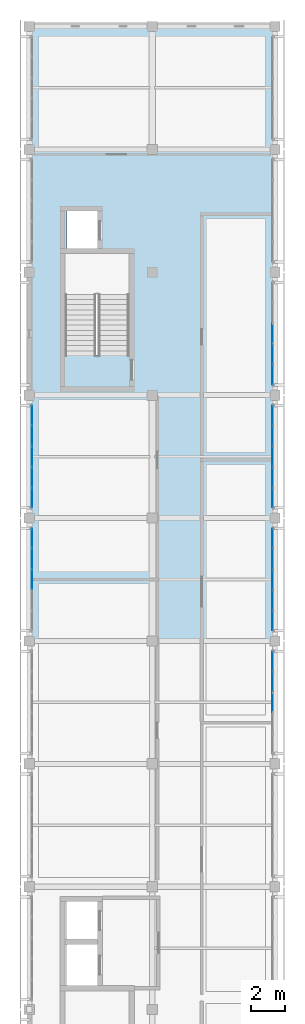
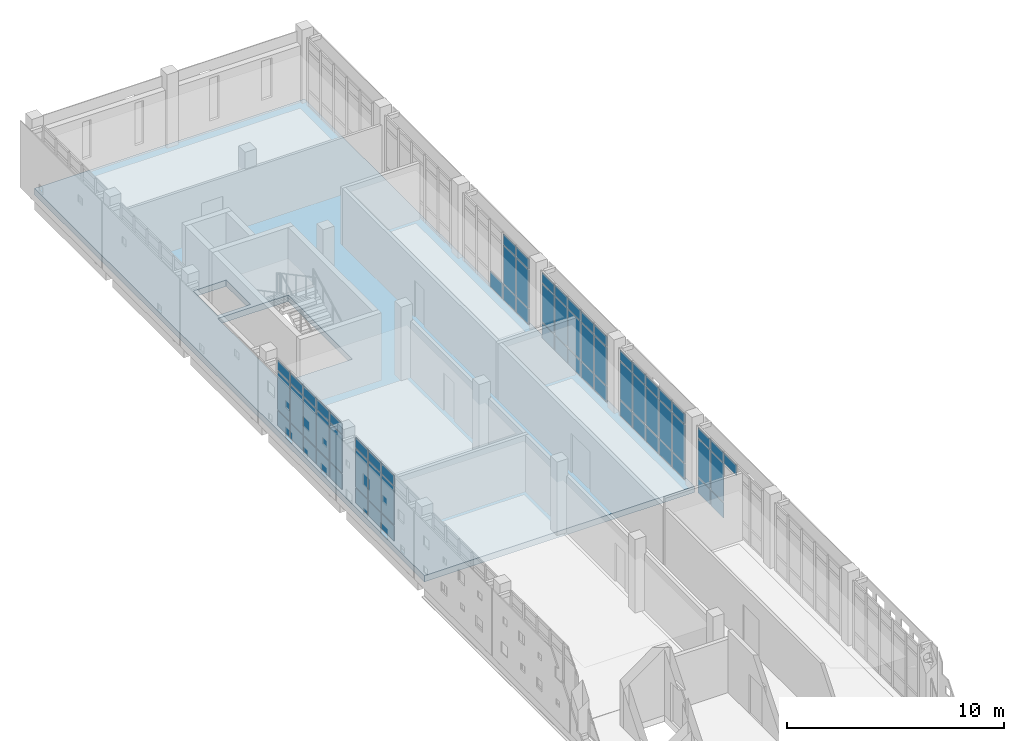
# One storey, part 13 of 21: 68 plates, 1 slab, 6 elements without a shape of their own.
"""IFC4 building model written with IfcOpenShell, lengths in metres."""

from ifc_helpers import new_model, si_unit, direction, frame, origin, origin_2d, place, context, subcontext, project, spatial, polyline, rectangle, outline, extrude, material, layer, layer_set, type_object, element, aggregate, save


model = new_model("IFC4")

# Units and contexts
model_context = context("Model", 3, precision=1e-05, world=origin(), true_north=direction((0.0, 1.0)))
body_context = subcontext(model_context, "Body", "Model", "MODEL_VIEW")
ifc_project = project(units=[si_unit("LENGTHUNIT", "METRE"), si_unit("AREAUNIT", "SQUARE_METRE"), si_unit("VOLUMEUNIT", "CUBIC_METRE"), si_unit("PLANEANGLEUNIT", "RADIAN"), si_unit("MASSUNIT", "GRAM", prefix="KILO")], contexts=[model_context])

# Site, building, storey
site_placement = place(None, origin())
site = spatial("IfcSite", under=ifc_project, at=site_placement, CompositionType="ELEMENT")
building_placement = place(site_placement, origin())
building = spatial("IfcBuilding", under=site, at=building_placement, Name="Valkovuoma Quantum and Materials Research Institute", CompositionType="ELEMENT")
storey_placement = place(building_placement, frame((0.0, 0.0, 33.919921875)))
storey = spatial("IfcBuildingStorey", under=building, at=storey_placement, Name="L08", CompositionType="ELEMENT", Elevation=33.919921875)

# Curtain wall, plates
ifc_material_1 = material(Name="Thermally broken aluminium and triple low-E glazing", Category="aluminium")
ifc_layer_1 = layer(ifc_material_1, 0.219970703125)
ifc_layer_set_1 = layer_set([ifc_layer_1], Name="Thermally broken aluminium and triple low-E glazing")
curtain_wall_type = type_object("IfcCurtainWallType", Name="CW-CW-01", PredefinedType="NOTDEFINED", material=ifc_layer_set_1)
curtain_wall_1_placement = place(storey_placement, origin())
curtain_wall_1 = element("IfcCurtainWall", 1, at=curtain_wall_1_placement, inside=storey, type_object=curtain_wall_type, Name="L08 curtain wall 118", PredefinedType="NOTDEFINED")
ifc_material_2 = material(Name="Triple low-E argon insulating glass", Category="glass")
ifc_layer_2 = layer(ifc_material_2, 0.035888671875)
ifc_layer_set_2 = layer_set([ifc_layer_2], Name="Triple low-E argon insulating glass")
plate_type_1 = type_object("IfcPlateType", Name="CWPanel-CWP-01", PredefinedType="CURTAIN_PANEL", material=ifc_layer_set_2)
plate_1_placement = place(storey_placement, frame((0.14990234375, 61.199951171875, 0.06494140625), z_axis=(0.0, 0.0, 1.0), x_axis=(0.0, 1.0, 0.0)))
plate_1 = element("IfcPlate", 2, at=plate_1_placement, type_object=plate_type_1, Name="CW-01 panel 3.1", PredefinedType="CURTAIN_PANEL", context=body_context, shape_type="SweptSolid", body=[
    extrude(rectangle(XDim=1.152099609375, YDim=0.035888671875, at=origin_2d()), origin(), (0.0, 0.0, 1.0), 0.8525390625),
])
plate_2_placement = place(storey_placement, frame((0.14990234375, 61.199951171875, 0.982666015625), z_axis=(0.0, 0.0, 1.0), x_axis=(0.0, 1.0, 0.0)))
plate_2 = element("IfcPlate", 3, at=plate_2_placement, type_object=plate_type_1, Name="CW-01 panel 3.2", PredefinedType="CURTAIN_PANEL", context=body_context, shape_type="SweptSolid", body=[
    extrude(rectangle(XDim=1.152099609375, YDim=0.035888671875, at=origin_2d()), origin(), (0.0, 0.0, 1.0), 2.14501953125),
])
plate_3_placement = place(storey_placement, frame((0.14990234375, 61.199951171875, 3.1923828125), z_axis=(0.0, 0.0, 1.0), x_axis=(0.0, 1.0, 0.0)))
plate_3 = element("IfcPlate", 4, at=plate_3_placement, type_object=plate_type_1, Name="CW-01 panel 3.3", PredefinedType="CURTAIN_PANEL", context=body_context, shape_type="SweptSolid", body=[
    extrude(rectangle(XDim=1.152099609375, YDim=0.035888671875, at=origin_2d()), origin(), (0.0, 0.0, 1.0), 0.552490234375),
])
plate_4_placement = place(storey_placement, frame((0.14990234375, 62.417236328125, 0.06494140625), z_axis=(0.0, 0.0, 1.0), x_axis=(0.0, 1.0, 0.0)))
plate_4 = element("IfcPlate", 5, at=plate_4_placement, type_object=plate_type_1, Name="CW-01 panel 4.1", PredefinedType="CURTAIN_PANEL", context=body_context, shape_type="SweptSolid", body=[
    extrude(rectangle(XDim=1.152099609375, YDim=0.035888671875, at=origin_2d()), origin(), (0.0, 0.0, 1.0), 0.8525390625),
])
plate_5_placement = place(storey_placement, frame((0.14990234375, 62.417236328125, 0.982666015625), z_axis=(0.0, 0.0, 1.0), x_axis=(0.0, 1.0, 0.0)))
plate_5 = element("IfcPlate", 6, at=plate_5_placement, type_object=plate_type_1, Name="CW-01 panel 4.2", PredefinedType="CURTAIN_PANEL", context=body_context, shape_type="SweptSolid", body=[
    extrude(rectangle(XDim=1.152099609375, YDim=0.035888671875, at=origin_2d()), origin(), (0.0, 0.0, 1.0), 2.14501953125),
])
plate_6_placement = place(storey_placement, frame((0.14990234375, 62.417236328125, 3.1923828125), z_axis=(0.0, 0.0, 1.0), x_axis=(0.0, 1.0, 0.0)))
plate_6 = element("IfcPlate", 7, at=plate_6_placement, type_object=plate_type_1, Name="CW-01 panel 4.3", PredefinedType="CURTAIN_PANEL", context=body_context, shape_type="SweptSolid", body=[
    extrude(rectangle(XDim=1.152099609375, YDim=0.035888671875, at=origin_2d()), origin(), (0.0, 0.0, 1.0), 0.552490234375),
])
plate_7_placement = place(storey_placement, frame((0.14990234375, 63.6181640625, 0.06494140625), z_axis=(0.0, 0.0, 1.0), x_axis=(0.0, 1.0, 0.0)))
plate_7 = element("IfcPlate", 8, at=plate_7_placement, type_object=plate_type_1, Name="CW-01 panel 5.1", PredefinedType="CURTAIN_PANEL", context=body_context, shape_type="SweptSolid", body=[
    extrude(rectangle(XDim=1.11962890625, YDim=0.035888671875, at=origin_2d()), origin(), (0.0, 0.0, 1.0), 0.8525390625),
])
plate_8_placement = place(storey_placement, frame((0.14990234375, 63.6181640625, 0.982666015625), z_axis=(0.0, 0.0, 1.0), x_axis=(0.0, 1.0, 0.0)))
plate_8 = element("IfcPlate", 9, at=plate_8_placement, type_object=plate_type_1, Name="CW-01 panel 5.2", PredefinedType="CURTAIN_PANEL", context=body_context, shape_type="SweptSolid", body=[
    extrude(rectangle(XDim=1.11962890625, YDim=0.035888671875, at=origin_2d()), origin(), (0.0, 0.0, 1.0), 2.14501953125),
])
plate_9_placement = place(storey_placement, frame((0.14990234375, 63.6181640625, 3.1923828125), z_axis=(0.0, 0.0, 1.0), x_axis=(0.0, 1.0, 0.0)))
plate_9 = element("IfcPlate", 10, at=plate_9_placement, type_object=plate_type_1, Name="CW-01 panel 5.3", PredefinedType="CURTAIN_PANEL", context=body_context, shape_type="SweptSolid", body=[
    extrude(rectangle(XDim=1.11962890625, YDim=0.035888671875, at=origin_2d()), origin(), (0.0, 0.0, 1.0), 0.552490234375),
])
aggregate(curtain_wall_1, [plate_1, plate_2, plate_3, plate_4, plate_5, plate_6, plate_7, plate_8, plate_9])

curtain_wall_2_placement = place(storey_placement, origin())
curtain_wall_2 = element("IfcCurtainWall", 11, at=curtain_wall_2_placement, inside=storey, type_object=curtain_wall_type, Name="L08 curtain wall 120", PredefinedType="NOTDEFINED")
plate_10_placement = place(storey_placement, frame((0.14990234375, 65.98193359375, 0.06494140625), z_axis=(0.0, 0.0, 1.0), x_axis=(0.0, 1.0, 0.0)))
plate_10 = element("IfcPlate", 12, at=plate_10_placement, type_object=plate_type_1, Name="CW-01 panel 1.1", PredefinedType="CURTAIN_PANEL", context=body_context, shape_type="SweptSolid", body=[
    extrude(rectangle(XDim=1.11962890625, YDim=0.035888671875, at=origin_2d()), origin(), (0.0, 0.0, 1.0), 0.8525390625),
])
plate_11_placement = place(storey_placement, frame((0.14990234375, 65.98193359375, 0.982666015625), z_axis=(0.0, 0.0, 1.0), x_axis=(0.0, 1.0, 0.0)))
plate_11 = element("IfcPlate", 13, at=plate_11_placement, type_object=plate_type_1, Name="CW-01 panel 1.2", PredefinedType="CURTAIN_PANEL", context=body_context, shape_type="SweptSolid", body=[
    extrude(rectangle(XDim=1.11962890625, YDim=0.035888671875, at=origin_2d()), origin(), (0.0, 0.0, 1.0), 2.14501953125),
])
plate_12_placement = place(storey_placement, frame((0.14990234375, 65.98193359375, 3.1923828125), z_axis=(0.0, 0.0, 1.0), x_axis=(0.0, 1.0, 0.0)))
plate_12 = element("IfcPlate", 14, at=plate_12_placement, type_object=plate_type_1, Name="CW-01 panel 1.3", PredefinedType="CURTAIN_PANEL", context=body_context, shape_type="SweptSolid", body=[
    extrude(rectangle(XDim=1.11962890625, YDim=0.035888671875, at=origin_2d()), origin(), (0.0, 0.0, 1.0), 0.552490234375),
])
plate_13_placement = place(storey_placement, frame((0.14990234375, 67.182861328125, 0.06494140625), z_axis=(0.0, 0.0, 1.0), x_axis=(0.0, 1.0, 0.0)))
plate_13 = element("IfcPlate", 15, at=plate_13_placement, type_object=plate_type_1, Name="CW-01 panel 2.1", PredefinedType="CURTAIN_PANEL", context=body_context, shape_type="SweptSolid", body=[
    extrude(rectangle(XDim=1.152099609375, YDim=0.035888671875, at=origin_2d()), origin(), (0.0, 0.0, 1.0), 0.8525390625),
])
plate_14_placement = place(storey_placement, frame((0.14990234375, 67.182861328125, 0.982666015625), z_axis=(0.0, 0.0, 1.0), x_axis=(0.0, 1.0, 0.0)))
plate_14 = element("IfcPlate", 16, at=plate_14_placement, type_object=plate_type_1, Name="CW-01 panel 2.2", PredefinedType="CURTAIN_PANEL", context=body_context, shape_type="SweptSolid", body=[
    extrude(rectangle(XDim=1.152099609375, YDim=0.035888671875, at=origin_2d()), origin(), (0.0, 0.0, 1.0), 2.14501953125),
])
plate_15_placement = place(storey_placement, frame((0.14990234375, 67.182861328125, 3.1923828125), z_axis=(0.0, 0.0, 1.0), x_axis=(0.0, 1.0, 0.0)))
plate_15 = element("IfcPlate", 17, at=plate_15_placement, type_object=plate_type_1, Name="CW-01 panel 2.3", PredefinedType="CURTAIN_PANEL", context=body_context, shape_type="SweptSolid", body=[
    extrude(rectangle(XDim=1.152099609375, YDim=0.035888671875, at=origin_2d()), origin(), (0.0, 0.0, 1.0), 0.552490234375),
])
plate_16_placement = place(storey_placement, frame((0.14990234375, 68.39990234375, 0.06494140625), z_axis=(0.0, 0.0, 1.0), x_axis=(0.0, 1.0, 0.0)))
plate_16 = element("IfcPlate", 18, at=plate_16_placement, type_object=plate_type_1, Name="CW-01 panel 3.1", PredefinedType="CURTAIN_PANEL", context=body_context, shape_type="SweptSolid", body=[
    extrude(rectangle(XDim=1.152099609375, YDim=0.035888671875, at=origin_2d()), origin(), (0.0, 0.0, 1.0), 0.8525390625),
])
plate_17_placement = place(storey_placement, frame((0.14990234375, 68.39990234375, 0.982666015625), z_axis=(0.0, 0.0, 1.0), x_axis=(0.0, 1.0, 0.0)))
plate_17 = element("IfcPlate", 19, at=plate_17_placement, type_object=plate_type_1, Name="CW-01 panel 3.2", PredefinedType="CURTAIN_PANEL", context=body_context, shape_type="SweptSolid", body=[
    extrude(rectangle(XDim=1.152099609375, YDim=0.035888671875, at=origin_2d()), origin(), (0.0, 0.0, 1.0), 2.14501953125),
])
plate_18_placement = place(storey_placement, frame((0.14990234375, 68.39990234375, 3.1923828125), z_axis=(0.0, 0.0, 1.0), x_axis=(0.0, 1.0, 0.0)))
plate_18 = element("IfcPlate", 20, at=plate_18_placement, type_object=plate_type_1, Name="CW-01 panel 3.3", PredefinedType="CURTAIN_PANEL", context=body_context, shape_type="SweptSolid", body=[
    extrude(rectangle(XDim=1.152099609375, YDim=0.035888671875, at=origin_2d()), origin(), (0.0, 0.0, 1.0), 0.552490234375),
])
plate_19_placement = place(storey_placement, frame((0.14990234375, 69.6171875, 0.06494140625), z_axis=(0.0, 0.0, 1.0), x_axis=(0.0, 1.0, 0.0)))
plate_19 = element("IfcPlate", 21, at=plate_19_placement, type_object=plate_type_1, Name="CW-01 panel 4.1", PredefinedType="CURTAIN_PANEL", context=body_context, shape_type="SweptSolid", body=[
    extrude(rectangle(XDim=1.152099609375, YDim=0.035888671875, at=origin_2d()), origin(), (0.0, 0.0, 1.0), 0.8525390625),
])
plate_20_placement = place(storey_placement, frame((0.14990234375, 69.6171875, 0.982666015625), z_axis=(0.0, 0.0, 1.0), x_axis=(0.0, 1.0, 0.0)))
plate_20 = element("IfcPlate", 22, at=plate_20_placement, type_object=plate_type_1, Name="CW-01 panel 4.2", PredefinedType="CURTAIN_PANEL", context=body_context, shape_type="SweptSolid", body=[
    extrude(rectangle(XDim=1.152099609375, YDim=0.035888671875, at=origin_2d()), origin(), (0.0, 0.0, 1.0), 2.14501953125),
])
plate_21_placement = place(storey_placement, frame((0.14990234375, 69.6171875, 3.1923828125), z_axis=(0.0, 0.0, 1.0), x_axis=(0.0, 1.0, 0.0)))
plate_21 = element("IfcPlate", 23, at=plate_21_placement, type_object=plate_type_1, Name="CW-01 panel 4.3", PredefinedType="CURTAIN_PANEL", context=body_context, shape_type="SweptSolid", body=[
    extrude(rectangle(XDim=1.152099609375, YDim=0.035888671875, at=origin_2d()), origin(), (0.0, 0.0, 1.0), 0.552490234375),
])
plate_22_placement = place(storey_placement, frame((0.14990234375, 70.818115234375, 0.06494140625), z_axis=(0.0, 0.0, 1.0), x_axis=(0.0, 1.0, 0.0)))
plate_22 = element("IfcPlate", 24, at=plate_22_placement, type_object=plate_type_1, Name="CW-01 panel 5.1", PredefinedType="CURTAIN_PANEL", context=body_context, shape_type="SweptSolid", body=[
    extrude(rectangle(XDim=1.11962890625, YDim=0.035888671875, at=origin_2d()), origin(), (0.0, 0.0, 1.0), 0.8525390625),
])
plate_23_placement = place(storey_placement, frame((0.14990234375, 70.818115234375, 0.982666015625), z_axis=(0.0, 0.0, 1.0), x_axis=(0.0, 1.0, 0.0)))
plate_23 = element("IfcPlate", 25, at=plate_23_placement, type_object=plate_type_1, Name="CW-01 panel 5.2", PredefinedType="CURTAIN_PANEL", context=body_context, shape_type="SweptSolid", body=[
    extrude(rectangle(XDim=1.11962890625, YDim=0.035888671875, at=origin_2d()), origin(), (0.0, 0.0, 1.0), 2.14501953125),
])
plate_24_placement = place(storey_placement, frame((0.14990234375, 70.818115234375, 3.1923828125), z_axis=(0.0, 0.0, 1.0), x_axis=(0.0, 1.0, 0.0)))
plate_24 = element("IfcPlate", 26, at=plate_24_placement, type_object=plate_type_1, Name="CW-01 panel 5.3", PredefinedType="CURTAIN_PANEL", context=body_context, shape_type="SweptSolid", body=[
    extrude(rectangle(XDim=1.11962890625, YDim=0.035888671875, at=origin_2d()), origin(), (0.0, 0.0, 1.0), 0.552490234375),
])
aggregate(curtain_wall_2, [plate_10, plate_11, plate_12, plate_13, plate_14, plate_15, plate_16, plate_17, plate_18, plate_19, plate_20, plate_21, plate_22, plate_23, plate_24])

curtain_wall_3_placement = place(storey_placement, origin())
curtain_wall_3 = element("IfcCurtainWall", 27, at=curtain_wall_3_placement, inside=storey, type_object=curtain_wall_type, Name="L08 curtain wall 117", PredefinedType="NOTDEFINED")
ifc_material_3 = material(Name="Triple low-E argon insulating glass", Category="glass")
ifc_layer_3 = layer(ifc_material_3, 0.0419921875)
ifc_layer_set_3 = layer_set([ifc_layer_3], Name="Triple low-E argon insulating glass")
plate_type_2 = type_object("IfcPlateType", Name="CWPanel-CWP-02", PredefinedType="CURTAIN_PANEL", material=ifc_layer_set_3)
plate_25_placement = place(storey_placement, frame((14.25, 54.0, 3.1923828125), z_axis=(0.0, 0.0, 1.0), x_axis=(0.0, 1.0, 0.0)))
plate_25 = element("IfcPlate", 28, at=plate_25_placement, type_object=plate_type_2, Name="CW-01 panel 3.3", PredefinedType="CURTAIN_PANEL", context=body_context, shape_type="SweptSolid", body=[
    extrude(rectangle(XDim=1.152099609375, YDim=0.0419921875, at=origin_2d()), origin(), (0.0, 0.0, 1.0), 0.552490234375),
])
plate_26_placement = place(storey_placement, frame((14.25, 55.217041015625, 0.06494140625), z_axis=(0.0, 0.0, 1.0), x_axis=(0.0, 1.0, 0.0)))
plate_26 = element("IfcPlate", 29, at=plate_26_placement, type_object=plate_type_2, Name="CW-01 panel 4.1", PredefinedType="CURTAIN_PANEL", context=body_context, shape_type="SweptSolid", body=[
    extrude(rectangle(XDim=1.152099609375, YDim=0.0419921875, at=origin_2d()), origin(), (0.0, 0.0, 1.0), 0.8525390625),
])
plate_27_placement = place(storey_placement, frame((14.25, 55.217041015625, 0.982666015625), z_axis=(0.0, 0.0, 1.0), x_axis=(0.0, 1.0, 0.0)))
plate_27 = element("IfcPlate", 30, at=plate_27_placement, type_object=plate_type_2, Name="CW-01 panel 4.2", PredefinedType="CURTAIN_PANEL", context=body_context, shape_type="SweptSolid", body=[
    extrude(rectangle(XDim=1.152099609375, YDim=0.0419921875, at=origin_2d()), origin(), (0.0, 0.0, 1.0), 2.14501953125),
])
plate_28_placement = place(storey_placement, frame((14.25, 55.217041015625, 3.1923828125), z_axis=(0.0, 0.0, 1.0), x_axis=(0.0, 1.0, 0.0)))
plate_28 = element("IfcPlate", 31, at=plate_28_placement, type_object=plate_type_2, Name="CW-01 panel 4.3", PredefinedType="CURTAIN_PANEL", context=body_context, shape_type="SweptSolid", body=[
    extrude(rectangle(XDim=1.152099609375, YDim=0.0419921875, at=origin_2d()), origin(), (0.0, 0.0, 1.0), 0.552490234375),
])
plate_29_placement = place(storey_placement, frame((14.25, 56.41796875, 0.06494140625), z_axis=(0.0, 0.0, 1.0), x_axis=(0.0, 1.0, 0.0)))
plate_29 = element("IfcPlate", 32, at=plate_29_placement, type_object=plate_type_2, Name="CW-01 panel 5.1", PredefinedType="CURTAIN_PANEL", context=body_context, shape_type="SweptSolid", body=[
    extrude(rectangle(XDim=1.11962890625, YDim=0.0419921875, at=origin_2d()), origin(), (0.0, 0.0, 1.0), 0.8525390625),
])
plate_30_placement = place(storey_placement, frame((14.25, 56.41796875, 0.982666015625), z_axis=(0.0, 0.0, 1.0), x_axis=(0.0, 1.0, 0.0)))
plate_30 = element("IfcPlate", 33, at=plate_30_placement, type_object=plate_type_2, Name="CW-01 panel 5.2", PredefinedType="CURTAIN_PANEL", context=body_context, shape_type="SweptSolid", body=[
    extrude(rectangle(XDim=1.11962890625, YDim=0.0419921875, at=origin_2d()), origin(), (0.0, 0.0, 1.0), 2.14501953125),
])
plate_31_placement = place(storey_placement, frame((14.25, 56.41796875, 3.1923828125), z_axis=(0.0, 0.0, 1.0), x_axis=(0.0, 1.0, 0.0)))
plate_31 = element("IfcPlate", 34, at=plate_31_placement, type_object=plate_type_2, Name="CW-01 panel 5.3", PredefinedType="CURTAIN_PANEL", context=body_context, shape_type="SweptSolid", body=[
    extrude(rectangle(XDim=1.11962890625, YDim=0.0419921875, at=origin_2d()), origin(), (0.0, 0.0, 1.0), 0.552490234375),
])
aggregate(curtain_wall_3, [plate_25, plate_26, plate_27, plate_28, plate_29, plate_30, plate_31])

curtain_wall_4_placement = place(storey_placement, origin())
curtain_wall_4 = element("IfcCurtainWall", 35, at=curtain_wall_4_placement, inside=storey, type_object=curtain_wall_type, Name="L08 curtain wall 119", PredefinedType="NOTDEFINED")
plate_32_placement = place(storey_placement, frame((14.25, 58.781982421875, 0.06494140625), z_axis=(0.0, 0.0, 1.0), x_axis=(0.0, 1.0, 0.0)))
plate_32 = element("IfcPlate", 36, at=plate_32_placement, type_object=plate_type_2, Name="CW-01 panel 1.1", PredefinedType="CURTAIN_PANEL", context=body_context, shape_type="SweptSolid", body=[
    extrude(rectangle(XDim=1.11962890625, YDim=0.0419921875, at=origin_2d()), origin(), (0.0, 0.0, 1.0), 0.8525390625),
])
plate_33_placement = place(storey_placement, frame((14.25, 58.781982421875, 0.982666015625), z_axis=(0.0, 0.0, 1.0), x_axis=(0.0, 1.0, 0.0)))
plate_33 = element("IfcPlate", 37, at=plate_33_placement, type_object=plate_type_2, Name="CW-01 panel 1.2", PredefinedType="CURTAIN_PANEL", context=body_context, shape_type="SweptSolid", body=[
    extrude(rectangle(XDim=1.11962890625, YDim=0.0419921875, at=origin_2d()), origin(), (0.0, 0.0, 1.0), 2.14501953125),
])
plate_34_placement = place(storey_placement, frame((14.25, 58.781982421875, 3.1923828125), z_axis=(0.0, 0.0, 1.0), x_axis=(0.0, 1.0, 0.0)))
plate_34 = element("IfcPlate", 38, at=plate_34_placement, type_object=plate_type_2, Name="CW-01 panel 1.3", PredefinedType="CURTAIN_PANEL", context=body_context, shape_type="SweptSolid", body=[
    extrude(rectangle(XDim=1.11962890625, YDim=0.0419921875, at=origin_2d()), origin(), (0.0, 0.0, 1.0), 0.552490234375),
])
plate_35_placement = place(storey_placement, frame((14.25, 59.98291015625, 0.06494140625), z_axis=(0.0, 0.0, 1.0), x_axis=(0.0, 1.0, 0.0)))
plate_35 = element("IfcPlate", 39, at=plate_35_placement, type_object=plate_type_2, Name="CW-01 panel 2.1", PredefinedType="CURTAIN_PANEL", context=body_context, shape_type="SweptSolid", body=[
    extrude(rectangle(XDim=1.152099609375, YDim=0.0419921875, at=origin_2d()), origin(), (0.0, 0.0, 1.0), 0.8525390625),
])
plate_36_placement = place(storey_placement, frame((14.25, 59.98291015625, 0.982666015625), z_axis=(0.0, 0.0, 1.0), x_axis=(0.0, 1.0, 0.0)))
plate_36 = element("IfcPlate", 40, at=plate_36_placement, type_object=plate_type_2, Name="CW-01 panel 2.2", PredefinedType="CURTAIN_PANEL", context=body_context, shape_type="SweptSolid", body=[
    extrude(rectangle(XDim=1.152099609375, YDim=0.0419921875, at=origin_2d()), origin(), (0.0, 0.0, 1.0), 2.14501953125),
])
plate_37_placement = place(storey_placement, frame((14.25, 59.98291015625, 3.1923828125), z_axis=(0.0, 0.0, 1.0), x_axis=(0.0, 1.0, 0.0)))
plate_37 = element("IfcPlate", 41, at=plate_37_placement, type_object=plate_type_2, Name="CW-01 panel 2.3", PredefinedType="CURTAIN_PANEL", context=body_context, shape_type="SweptSolid", body=[
    extrude(rectangle(XDim=1.152099609375, YDim=0.0419921875, at=origin_2d()), origin(), (0.0, 0.0, 1.0), 0.552490234375),
])
plate_38_placement = place(storey_placement, frame((14.25, 61.199951171875, 0.06494140625), z_axis=(0.0, 0.0, 1.0), x_axis=(0.0, 1.0, 0.0)))
plate_38 = element("IfcPlate", 42, at=plate_38_placement, type_object=plate_type_2, Name="CW-01 panel 3.1", PredefinedType="CURTAIN_PANEL", context=body_context, shape_type="SweptSolid", body=[
    extrude(rectangle(XDim=1.152099609375, YDim=0.0419921875, at=origin_2d()), origin(), (0.0, 0.0, 1.0), 0.8525390625),
])
plate_39_placement = place(storey_placement, frame((14.25, 61.199951171875, 0.982666015625), z_axis=(0.0, 0.0, 1.0), x_axis=(0.0, 1.0, 0.0)))
plate_39 = element("IfcPlate", 43, at=plate_39_placement, type_object=plate_type_2, Name="CW-01 panel 3.2", PredefinedType="CURTAIN_PANEL", context=body_context, shape_type="SweptSolid", body=[
    extrude(rectangle(XDim=1.152099609375, YDim=0.0419921875, at=origin_2d()), origin(), (0.0, 0.0, 1.0), 2.14501953125),
])
plate_40_placement = place(storey_placement, frame((14.25, 61.199951171875, 3.1923828125), z_axis=(0.0, 0.0, 1.0), x_axis=(0.0, 1.0, 0.0)))
plate_40 = element("IfcPlate", 44, at=plate_40_placement, type_object=plate_type_2, Name="CW-01 panel 3.3", PredefinedType="CURTAIN_PANEL", context=body_context, shape_type="SweptSolid", body=[
    extrude(rectangle(XDim=1.152099609375, YDim=0.0419921875, at=origin_2d()), origin(), (0.0, 0.0, 1.0), 0.552490234375),
])
plate_41_placement = place(storey_placement, frame((14.25, 62.417236328125, 0.06494140625), z_axis=(0.0, 0.0, 1.0), x_axis=(0.0, 1.0, 0.0)))
plate_41 = element("IfcPlate", 45, at=plate_41_placement, type_object=plate_type_2, Name="CW-01 panel 4.1", PredefinedType="CURTAIN_PANEL", context=body_context, shape_type="SweptSolid", body=[
    extrude(rectangle(XDim=1.152099609375, YDim=0.0419921875, at=origin_2d()), origin(), (0.0, 0.0, 1.0), 0.8525390625),
])
plate_42_placement = place(storey_placement, frame((14.25, 62.417236328125, 0.982666015625), z_axis=(0.0, 0.0, 1.0), x_axis=(0.0, 1.0, 0.0)))
plate_42 = element("IfcPlate", 46, at=plate_42_placement, type_object=plate_type_2, Name="CW-01 panel 4.2", PredefinedType="CURTAIN_PANEL", context=body_context, shape_type="SweptSolid", body=[
    extrude(rectangle(XDim=1.152099609375, YDim=0.0419921875, at=origin_2d()), origin(), (0.0, 0.0, 1.0), 2.14501953125),
])
plate_43_placement = place(storey_placement, frame((14.25, 62.417236328125, 3.1923828125), z_axis=(0.0, 0.0, 1.0), x_axis=(0.0, 1.0, 0.0)))
plate_43 = element("IfcPlate", 47, at=plate_43_placement, type_object=plate_type_2, Name="CW-01 panel 4.3", PredefinedType="CURTAIN_PANEL", context=body_context, shape_type="SweptSolid", body=[
    extrude(rectangle(XDim=1.152099609375, YDim=0.0419921875, at=origin_2d()), origin(), (0.0, 0.0, 1.0), 0.552490234375),
])
plate_44_placement = place(storey_placement, frame((14.25, 63.6181640625, 0.06494140625), z_axis=(0.0, 0.0, 1.0), x_axis=(0.0, 1.0, 0.0)))
plate_44 = element("IfcPlate", 48, at=plate_44_placement, type_object=plate_type_2, Name="CW-01 panel 5.1", PredefinedType="CURTAIN_PANEL", context=body_context, shape_type="SweptSolid", body=[
    extrude(rectangle(XDim=1.11962890625, YDim=0.0419921875, at=origin_2d()), origin(), (0.0, 0.0, 1.0), 0.8525390625),
])
plate_45_placement = place(storey_placement, frame((14.25, 63.6181640625, 0.982666015625), z_axis=(0.0, 0.0, 1.0), x_axis=(0.0, 1.0, 0.0)))
plate_45 = element("IfcPlate", 49, at=plate_45_placement, type_object=plate_type_2, Name="CW-01 panel 5.2", PredefinedType="CURTAIN_PANEL", context=body_context, shape_type="SweptSolid", body=[
    extrude(rectangle(XDim=1.11962890625, YDim=0.0419921875, at=origin_2d()), origin(), (0.0, 0.0, 1.0), 2.14501953125),
])
plate_46_placement = place(storey_placement, frame((14.25, 63.6181640625, 3.1923828125), z_axis=(0.0, 0.0, 1.0), x_axis=(0.0, 1.0, 0.0)))
plate_46 = element("IfcPlate", 50, at=plate_46_placement, type_object=plate_type_2, Name="CW-01 panel 5.3", PredefinedType="CURTAIN_PANEL", context=body_context, shape_type="SweptSolid", body=[
    extrude(rectangle(XDim=1.11962890625, YDim=0.0419921875, at=origin_2d()), origin(), (0.0, 0.0, 1.0), 0.552490234375),
])
aggregate(curtain_wall_4, [plate_32, plate_33, plate_34, plate_35, plate_36, plate_37, plate_38, plate_39, plate_40, plate_41, plate_42, plate_43, plate_44, plate_45, plate_46])

curtain_wall_5_placement = place(storey_placement, origin())
curtain_wall_5 = element("IfcCurtainWall", 51, at=curtain_wall_5_placement, inside=storey, type_object=curtain_wall_type, Name="L08 curtain wall 121", PredefinedType="NOTDEFINED")
plate_47_placement = place(storey_placement, frame((14.25, 65.98193359375, 0.06494140625), z_axis=(0.0, 0.0, 1.0), x_axis=(0.0, 1.0, 0.0)))
plate_47 = element("IfcPlate", 52, at=plate_47_placement, type_object=plate_type_2, Name="CW-01 panel 1.1", PredefinedType="CURTAIN_PANEL", context=body_context, shape_type="SweptSolid", body=[
    extrude(rectangle(XDim=1.11962890625, YDim=0.0419921875, at=origin_2d()), origin(), (0.0, 0.0, 1.0), 0.8525390625),
])
plate_48_placement = place(storey_placement, frame((14.25, 65.98193359375, 0.982666015625), z_axis=(0.0, 0.0, 1.0), x_axis=(0.0, 1.0, 0.0)))
plate_48 = element("IfcPlate", 53, at=plate_48_placement, type_object=plate_type_2, Name="CW-01 panel 1.2", PredefinedType="CURTAIN_PANEL", context=body_context, shape_type="SweptSolid", body=[
    extrude(rectangle(XDim=1.11962890625, YDim=0.0419921875, at=origin_2d()), origin(), (0.0, 0.0, 1.0), 2.14501953125),
])
plate_49_placement = place(storey_placement, frame((14.25, 65.98193359375, 3.1923828125), z_axis=(0.0, 0.0, 1.0), x_axis=(0.0, 1.0, 0.0)))
plate_49 = element("IfcPlate", 54, at=plate_49_placement, type_object=plate_type_2, Name="CW-01 panel 1.3", PredefinedType="CURTAIN_PANEL", context=body_context, shape_type="SweptSolid", body=[
    extrude(rectangle(XDim=1.11962890625, YDim=0.0419921875, at=origin_2d()), origin(), (0.0, 0.0, 1.0), 0.552490234375),
])
plate_50_placement = place(storey_placement, frame((14.25, 67.182861328125, 0.06494140625), z_axis=(0.0, 0.0, 1.0), x_axis=(0.0, 1.0, 0.0)))
plate_50 = element("IfcPlate", 55, at=plate_50_placement, type_object=plate_type_2, Name="CW-01 panel 2.1", PredefinedType="CURTAIN_PANEL", context=body_context, shape_type="SweptSolid", body=[
    extrude(rectangle(XDim=1.152099609375, YDim=0.0419921875, at=origin_2d()), origin(), (0.0, 0.0, 1.0), 0.8525390625),
])
plate_51_placement = place(storey_placement, frame((14.25, 67.182861328125, 0.982666015625), z_axis=(0.0, 0.0, 1.0), x_axis=(0.0, 1.0, 0.0)))
plate_51 = element("IfcPlate", 56, at=plate_51_placement, type_object=plate_type_2, Name="CW-01 panel 2.2", PredefinedType="CURTAIN_PANEL", context=body_context, shape_type="SweptSolid", body=[
    extrude(rectangle(XDim=1.152099609375, YDim=0.0419921875, at=origin_2d()), origin(), (0.0, 0.0, 1.0), 2.14501953125),
])
plate_52_placement = place(storey_placement, frame((14.25, 67.182861328125, 3.1923828125), z_axis=(0.0, 0.0, 1.0), x_axis=(0.0, 1.0, 0.0)))
plate_52 = element("IfcPlate", 57, at=plate_52_placement, type_object=plate_type_2, Name="CW-01 panel 2.3", PredefinedType="CURTAIN_PANEL", context=body_context, shape_type="SweptSolid", body=[
    extrude(rectangle(XDim=1.152099609375, YDim=0.0419921875, at=origin_2d()), origin(), (0.0, 0.0, 1.0), 0.552490234375),
])
plate_53_placement = place(storey_placement, frame((14.25, 68.39990234375, 0.06494140625), z_axis=(0.0, 0.0, 1.0), x_axis=(0.0, 1.0, 0.0)))
plate_53 = element("IfcPlate", 58, at=plate_53_placement, type_object=plate_type_2, Name="CW-01 panel 3.1", PredefinedType="CURTAIN_PANEL", context=body_context, shape_type="SweptSolid", body=[
    extrude(rectangle(XDim=1.152099609375, YDim=0.0419921875, at=origin_2d()), origin(), (0.0, 0.0, 1.0), 0.8525390625),
])
plate_54_placement = place(storey_placement, frame((14.25, 68.39990234375, 0.982666015625), z_axis=(0.0, 0.0, 1.0), x_axis=(0.0, 1.0, 0.0)))
plate_54 = element("IfcPlate", 59, at=plate_54_placement, type_object=plate_type_2, Name="CW-01 panel 3.2", PredefinedType="CURTAIN_PANEL", context=body_context, shape_type="SweptSolid", body=[
    extrude(rectangle(XDim=1.152099609375, YDim=0.0419921875, at=origin_2d()), origin(), (0.0, 0.0, 1.0), 2.14501953125),
])
plate_55_placement = place(storey_placement, frame((14.25, 68.39990234375, 3.1923828125), z_axis=(0.0, 0.0, 1.0), x_axis=(0.0, 1.0, 0.0)))
plate_55 = element("IfcPlate", 60, at=plate_55_placement, type_object=plate_type_2, Name="CW-01 panel 3.3", PredefinedType="CURTAIN_PANEL", context=body_context, shape_type="SweptSolid", body=[
    extrude(rectangle(XDim=1.152099609375, YDim=0.0419921875, at=origin_2d()), origin(), (0.0, 0.0, 1.0), 0.552490234375),
])
plate_56_placement = place(storey_placement, frame((14.25, 69.6171875, 0.06494140625), z_axis=(0.0, 0.0, 1.0), x_axis=(0.0, 1.0, 0.0)))
plate_56 = element("IfcPlate", 61, at=plate_56_placement, type_object=plate_type_2, Name="CW-01 panel 4.1", PredefinedType="CURTAIN_PANEL", context=body_context, shape_type="SweptSolid", body=[
    extrude(rectangle(XDim=1.152099609375, YDim=0.0419921875, at=origin_2d()), origin(), (0.0, 0.0, 1.0), 0.8525390625),
])
plate_57_placement = place(storey_placement, frame((14.25, 69.6171875, 0.982666015625), z_axis=(0.0, 0.0, 1.0), x_axis=(0.0, 1.0, 0.0)))
plate_57 = element("IfcPlate", 62, at=plate_57_placement, type_object=plate_type_2, Name="CW-01 panel 4.2", PredefinedType="CURTAIN_PANEL", context=body_context, shape_type="SweptSolid", body=[
    extrude(rectangle(XDim=1.152099609375, YDim=0.0419921875, at=origin_2d()), origin(), (0.0, 0.0, 1.0), 2.14501953125),
])
plate_58_placement = place(storey_placement, frame((14.25, 69.6171875, 3.1923828125), z_axis=(0.0, 0.0, 1.0), x_axis=(0.0, 1.0, 0.0)))
plate_58 = element("IfcPlate", 63, at=plate_58_placement, type_object=plate_type_2, Name="CW-01 panel 4.3", PredefinedType="CURTAIN_PANEL", context=body_context, shape_type="SweptSolid", body=[
    extrude(rectangle(XDim=1.152099609375, YDim=0.0419921875, at=origin_2d()), origin(), (0.0, 0.0, 1.0), 0.552490234375),
])
plate_59_placement = place(storey_placement, frame((14.25, 70.818115234375, 0.06494140625), z_axis=(0.0, 0.0, 1.0), x_axis=(0.0, 1.0, 0.0)))
plate_59 = element("IfcPlate", 64, at=plate_59_placement, type_object=plate_type_2, Name="CW-01 panel 5.1", PredefinedType="CURTAIN_PANEL", context=body_context, shape_type="SweptSolid", body=[
    extrude(rectangle(XDim=1.11962890625, YDim=0.0419921875, at=origin_2d()), origin(), (0.0, 0.0, 1.0), 0.8525390625),
])
plate_60_placement = place(storey_placement, frame((14.25, 70.818115234375, 0.982666015625), z_axis=(0.0, 0.0, 1.0), x_axis=(0.0, 1.0, 0.0)))
plate_60 = element("IfcPlate", 65, at=plate_60_placement, type_object=plate_type_2, Name="CW-01 panel 5.2", PredefinedType="CURTAIN_PANEL", context=body_context, shape_type="SweptSolid", body=[
    extrude(rectangle(XDim=1.11962890625, YDim=0.0419921875, at=origin_2d()), origin(), (0.0, 0.0, 1.0), 2.14501953125),
])
plate_61_placement = place(storey_placement, frame((14.25, 70.818115234375, 3.1923828125), z_axis=(0.0, 0.0, 1.0), x_axis=(0.0, 1.0, 0.0)))
plate_61 = element("IfcPlate", 66, at=plate_61_placement, type_object=plate_type_2, Name="CW-01 panel 5.3", PredefinedType="CURTAIN_PANEL", context=body_context, shape_type="SweptSolid", body=[
    extrude(rectangle(XDim=1.11962890625, YDim=0.0419921875, at=origin_2d()), origin(), (0.0, 0.0, 1.0), 0.552490234375),
])
aggregate(curtain_wall_5, [plate_47, plate_48, plate_49, plate_50, plate_51, plate_52, plate_53, plate_54, plate_55, plate_56, plate_57, plate_58, plate_59, plate_60, plate_61])

curtain_wall_6_placement = place(storey_placement, origin())
curtain_wall_6 = element("IfcCurtainWall", 67, at=curtain_wall_6_placement, inside=storey, type_object=curtain_wall_type, Name="L08 curtain wall 122", PredefinedType="NOTDEFINED")
plate_62_placement = place(storey_placement, frame((14.25, 73.181884765625, 0.06494140625), z_axis=(0.0, 0.0, 1.0), x_axis=(0.0, 1.0, 0.0)))
plate_62 = element("IfcPlate", 68, at=plate_62_placement, type_object=plate_type_2, Name="CW-01 panel 1.1", PredefinedType="CURTAIN_PANEL", context=body_context, shape_type="SweptSolid", body=[
    extrude(rectangle(XDim=1.11962890625, YDim=0.0419921875, at=origin_2d()), origin(), (0.0, 0.0, 1.0), 0.8525390625),
])
plate_63_placement = place(storey_placement, frame((14.25, 73.181884765625, 0.982666015625), z_axis=(0.0, 0.0, 1.0), x_axis=(0.0, 1.0, 0.0)))
plate_63 = element("IfcPlate", 69, at=plate_63_placement, type_object=plate_type_2, Name="CW-01 panel 1.2", PredefinedType="CURTAIN_PANEL", context=body_context, shape_type="SweptSolid", body=[
    extrude(rectangle(XDim=1.11962890625, YDim=0.0419921875, at=origin_2d()), origin(), (0.0, 0.0, 1.0), 2.14501953125),
])
plate_64_placement = place(storey_placement, frame((14.25, 73.181884765625, 3.1923828125), z_axis=(0.0, 0.0, 1.0), x_axis=(0.0, 1.0, 0.0)))
plate_64 = element("IfcPlate", 70, at=plate_64_placement, type_object=plate_type_2, Name="CW-01 panel 1.3", PredefinedType="CURTAIN_PANEL", context=body_context, shape_type="SweptSolid", body=[
    extrude(rectangle(XDim=1.11962890625, YDim=0.0419921875, at=origin_2d()), origin(), (0.0, 0.0, 1.0), 0.552490234375),
])
plate_65_placement = place(storey_placement, frame((14.25, 74.3828125, 0.06494140625), z_axis=(0.0, 0.0, 1.0), x_axis=(0.0, 1.0, 0.0)))
plate_65 = element("IfcPlate", 71, at=plate_65_placement, type_object=plate_type_2, Name="CW-01 panel 2.1", PredefinedType="CURTAIN_PANEL", context=body_context, shape_type="SweptSolid", body=[
    extrude(rectangle(XDim=1.152099609375, YDim=0.0419921875, at=origin_2d()), origin(), (0.0, 0.0, 1.0), 0.8525390625),
])
plate_66_placement = place(storey_placement, frame((14.25, 74.3828125, 0.982666015625), z_axis=(0.0, 0.0, 1.0), x_axis=(0.0, 1.0, 0.0)))
plate_66 = element("IfcPlate", 72, at=plate_66_placement, type_object=plate_type_2, Name="CW-01 panel 2.2", PredefinedType="CURTAIN_PANEL", context=body_context, shape_type="SweptSolid", body=[
    extrude(rectangle(XDim=1.152099609375, YDim=0.0419921875, at=origin_2d()), origin(), (0.0, 0.0, 1.0), 2.14501953125),
])
plate_67_placement = place(storey_placement, frame((14.25, 74.3828125, 3.1923828125), z_axis=(0.0, 0.0, 1.0), x_axis=(0.0, 1.0, 0.0)))
plate_67 = element("IfcPlate", 73, at=plate_67_placement, type_object=plate_type_2, Name="CW-01 panel 2.3", PredefinedType="CURTAIN_PANEL", context=body_context, shape_type="SweptSolid", body=[
    extrude(rectangle(XDim=1.152099609375, YDim=0.0419921875, at=origin_2d()), origin(), (0.0, 0.0, 1.0), 0.552490234375),
])
plate_68_placement = place(storey_placement, frame((14.25, 75.60009765625, 0.06494140625), z_axis=(0.0, 0.0, 1.0), x_axis=(0.0, 1.0, 0.0)))
plate_68 = element("IfcPlate", 74, at=plate_68_placement, type_object=plate_type_2, Name="CW-01 panel 3.1", PredefinedType="CURTAIN_PANEL", context=body_context, shape_type="SweptSolid", body=[
    extrude(rectangle(XDim=1.152099609375, YDim=0.0419921875, at=origin_2d()), origin(), (0.0, 0.0, 1.0), 0.8525390625),
])
aggregate(curtain_wall_6, [plate_62, plate_63, plate_64, plate_65, plate_66, plate_67, plate_68])

# Slab
ifc_material_4 = material(Name="Concrete C40/50", Category="concrete")
ifc_layer_4 = layer(ifc_material_4, 0.35009765625)
ifc_layer_set_4 = layer_set([ifc_layer_4], Name="Concrete C40/50")
slab_type = type_object("IfcSlabType", Name="Slab-SL-FL350", PredefinedType="FLOOR", material=ifc_layer_set_4)
slab_placement = place(storey_placement, frame((0.0, 0.0, -0.349853515625)))
element("IfcSlab", 75, at=slab_placement, inside=storey, type_object=slab_type, Name="L08 vol5_drylab structural slab 2", PredefinedType="FLOOR", context=body_context, shape_type="SweptSolid", body=[
    extrude(outline(polyline([(0.0, 57.60009765625), (14.39990234375, 57.60009765625), (14.39990234375, 93.60009765625), (0.0, 93.60009765625), (0.0, 57.60009765625)]), holes=[polyline([(2.10009765625, 74.360107421875), (5.85009765625, 74.360107421875), (5.85009765625, 80.300048828125), (2.10009765625, 80.300048828125), (2.10009765625, 74.360107421875)]), polyline([(2.219970703125, 80.52001953125), (3.97998046875, 80.52001953125), (3.97998046875, 82.780029296875), (2.219970703125, 82.780029296875), (2.219970703125, 80.52001953125)])]), origin(), (0.0, 0.0, 1.0), 0.349853515625),
])

save(model, "model.ifc")
